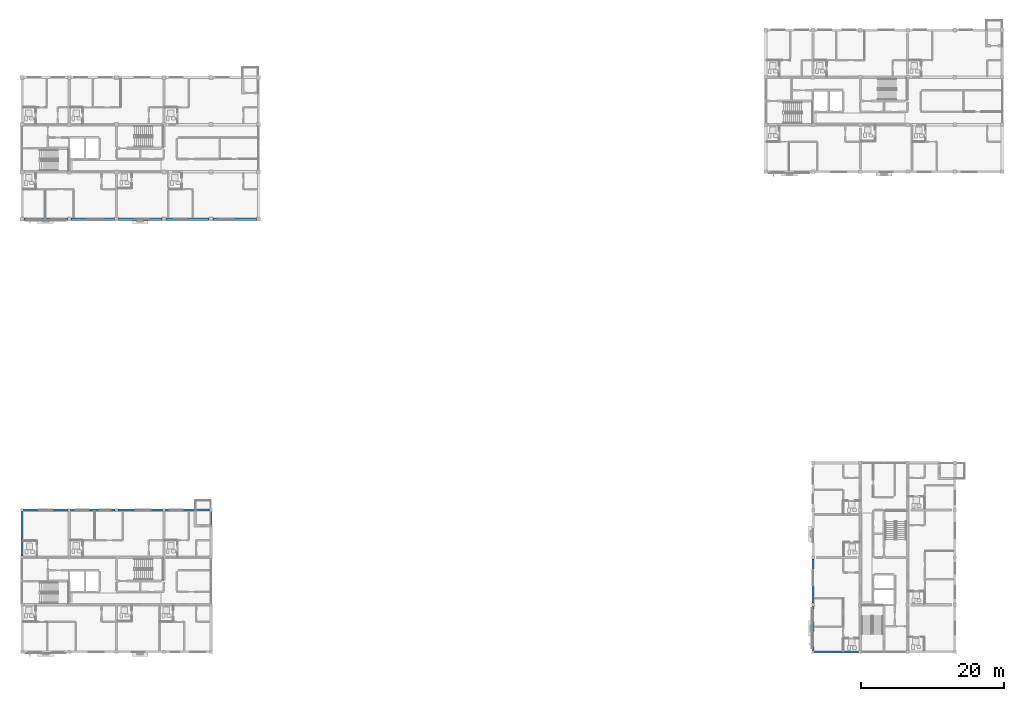
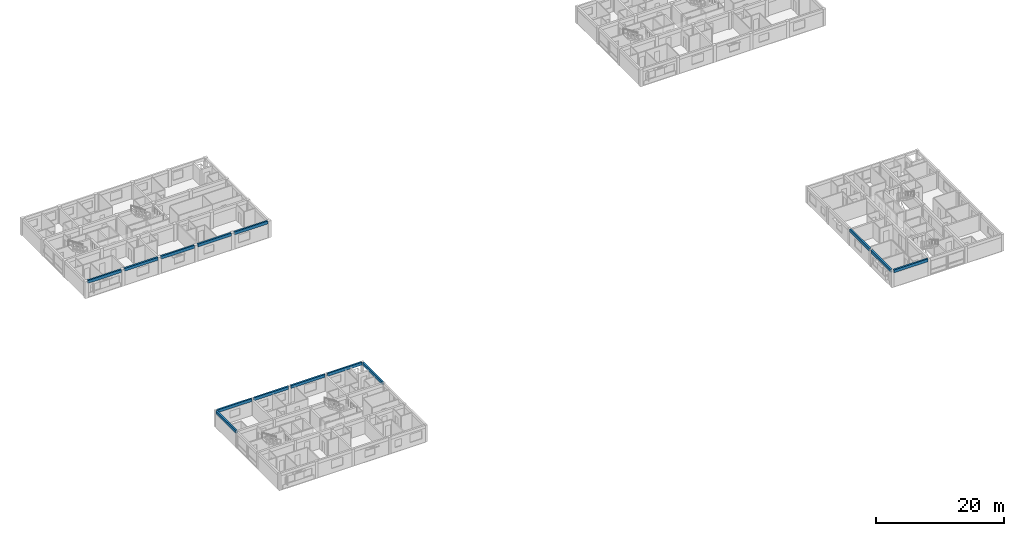
# One storey, part 11 of 53: 14 beams.
"""IFC4 building model written with IfcOpenShell, lengths in metres."""

from ifc_helpers import new_model, si_unit, direction, frame, origin, origin_2d, place, context, subcontext, project, spatial, rectangle, extrude, material, material_profile, profile_set, type_object, element, save


model = new_model("IFC4")

# Units and contexts
model_context = context("Model", 3, precision=1e-05, world=origin(), true_north=direction((0.0, 1.0)))
body_context = subcontext(model_context, "Body", "Model", "MODEL_VIEW")
ifc_project = project(units=[si_unit("LENGTHUNIT", "METRE"), si_unit("AREAUNIT", "SQUARE_METRE"), si_unit("VOLUMEUNIT", "CUBIC_METRE"), si_unit("PLANEANGLEUNIT", "RADIAN"), si_unit("MASSUNIT", "GRAM", prefix="KILO")], contexts=[model_context])

# Site, building, storey
site_placement = place(None, origin())
site = spatial("IfcSite", under=ifc_project, at=site_placement, CompositionType="ELEMENT")
building_placement = place(site_placement, origin())
building = spatial("IfcBuilding", under=site, at=building_placement, Name="Kernevlak Ridge Housing Community", CompositionType="ELEMENT")
storey_placement = place(building_placement, frame((0.0, 0.0, 18.0)))
storey = spatial("IfcBuildingStorey", under=building, at=storey_placement, Name="L05", CompositionType="ELEMENT", Elevation=18.0)

# Beams
ifc_material = material(Name="Concrete C35/45", Category="concrete")
ifc_material_profile = material_profile(ifc_material, rectangle(XDim=0.300048828125, YDim=0.550048828125, at=origin_2d()), Name="RC 300x550")
ifc_profile_set = profile_set([ifc_material_profile], Name="Concrete C35/45")
beam_type = type_object("IfcBeamType", Name="SP-01", PredefinedType="SPANDREL", material=ifc_profile_set)
beam_1_placement = place(storey_placement, frame((15.875, 76.0, 2.925048828125), z_axis=(1.0, 0.0, 0.0), x_axis=(0.0, 1.0, 0.0)))
element("IfcBeam", 1, at=beam_1_placement, inside=storey, type_object=beam_type, Name="Beam SP-01 L05 187", PredefinedType="SPANDREL", context=body_context, shape_type="SweptSolid", body=[
    extrude(rectangle(XDim=0.300048828125, YDim=0.550048828125, at=origin_2d()), origin(), (0.0, 0.0, 1.0), 6.050048828125),
])
beam_2_placement = place(storey_placement, frame((22.47509765625, 76.0, 2.925048828125), z_axis=(1.0, 0.0, 0.0), x_axis=(0.0, 1.0, 0.0)))
element("IfcBeam", 2, at=beam_2_placement, inside=storey, type_object=beam_type, Name="Beam SP-01 L05 188", PredefinedType="SPANDREL", context=body_context, shape_type="SweptSolid", body=[
    extrude(rectangle(XDim=0.300048828125, YDim=0.550048828125, at=origin_2d()), origin(), (0.0, 0.0, 1.0), 6.0498046875),
])
for number, where, z_axis, x_axis, name in (
    (3, (29.074951171875, 76.0, 2.925048828125), (1.0, 0.0, 0.0), (0.0, 1.0, 0.0), "Beam SP-01 L05 189"),
    (4, (35.675048828125, 76.0, 2.925048828125), (1.0, 0.0, 0.0), (0.0, 1.0, 0.0), "Beam SP-01 L05 190"),
    (5, (42.27490234375, 76.0, 2.925048828125), (1.0, 0.0, 0.0), (0.0, 1.0, 0.0), "Beam SP-01 L05 191"),
):
    element("IfcBeam", number, at=place(storey_placement, frame(where, z_axis=z_axis, x_axis=x_axis)), inside=storey, type_object=beam_type, Name=name, PredefinedType="SPANDREL", context=body_context, shape_type="SweptSolid", body=[
        extrude(rectangle(XDim=0.300048828125, YDim=0.550048828125, at=origin_2d()), origin(), (0.0, 0.0, 1.0), 6.050048828125),
    ])
beam_3_placement = place(storey_placement, frame((126.0, 15.824951171875, 2.925048828125), z_axis=(0.0, 1.0, 0.0), x_axis=(-1.0, 0.0, 0.0)))
element("IfcBeam", 6, at=beam_3_placement, inside=storey, type_object=beam_type, Name="Beam SP-01 L05 1112", PredefinedType="SPANDREL", context=body_context, shape_type="SweptSolid", body=[
    extrude(rectangle(XDim=0.300048828125, YDim=0.550048828125, at=origin_2d()), origin(), (0.0, 0.0, 1.0), 6.150146484375),
])
for number, where, z_axis, x_axis, name in (
    (7, (126.0, 22.425048828125, 2.925048828125), (0.0, 1.0, 0.0), (-1.0, 0.0, 0.0), "Beam SP-01 L05 1113"),
    (8, (126.22509765625, 15.60009765625, 2.925048828125), (1.0, 0.0, 0.0), (0.0, 1.0, 0.0), "Beam SP-01 L05 1128"),
):
    element("IfcBeam", number, at=place(storey_placement, frame(where, z_axis=z_axis, x_axis=x_axis)), inside=storey, type_object=beam_type, Name=name, PredefinedType="SPANDREL", context=body_context, shape_type="SweptSolid", body=[
        extrude(rectangle(XDim=0.300048828125, YDim=0.550048828125, at=origin_2d()), origin(), (0.0, 0.0, 1.0), 6.14990234375),
    ])
beam_4_placement = place(storey_placement, frame((15.800048828125, 35.39990234375, 2.925048828125), z_axis=(1.0, 0.0, 0.0), x_axis=(0.0, 1.0, 0.0)))
element("IfcBeam", 9, at=beam_4_placement, inside=storey, type_object=beam_type, Name="Beam SP-01 L05 1444", PredefinedType="SPANDREL", context=body_context, shape_type="SweptSolid", body=[
    extrude(rectangle(XDim=0.300048828125, YDim=0.550048828125, at=origin_2d()), origin(), (0.0, 0.0, 1.0), 6.199951171875),
])
beam_5_placement = place(storey_placement, frame((22.39990234375, 35.39990234375, 2.925048828125), z_axis=(1.0, 0.0, 0.0), x_axis=(0.0, 1.0, 0.0)))
element("IfcBeam", 10, at=beam_5_placement, inside=storey, type_object=beam_type, Name="Beam SP-01 L05 1445", PredefinedType="SPANDREL", context=body_context, shape_type="SweptSolid", body=[
    extrude(rectangle(XDim=0.300048828125, YDim=0.550048828125, at=origin_2d()), origin(), (0.0, 0.0, 1.0), 6.2001953125),
])
for number, where, z_axis, x_axis, name in (
    (11, (29.0, 35.39990234375, 2.925048828125), (1.0, 0.0, 0.0), (0.0, 1.0, 0.0), "Beam SP-01 L05 1446"),
    (12, (35.60009765625, 35.39990234375, 2.925048828125), (1.0, 0.0, 0.0), (0.0, 1.0, 0.0), "Beam SP-01 L05 1447"),
    (13, (15.60009765625, 29.0, 2.925048828125), (0.0, 1.0, 0.0), (-1.0, 0.0, 0.0), "Beam SP-01 L05 1450"),
    (14, (42.0, 29.0, 2.925048828125), (0.0, 1.0, 0.0), (-1.0, 0.0, 0.0), "Beam SP-01 L05 1453"),
):
    element("IfcBeam", number, at=place(storey_placement, frame(where, z_axis=z_axis, x_axis=x_axis)), inside=storey, type_object=beam_type, Name=name, PredefinedType="SPANDREL", context=body_context, shape_type="SweptSolid", body=[
        extrude(rectangle(XDim=0.300048828125, YDim=0.550048828125, at=origin_2d()), origin(), (0.0, 0.0, 1.0), 6.199951171875),
    ])

save(model, "model.ifc")
